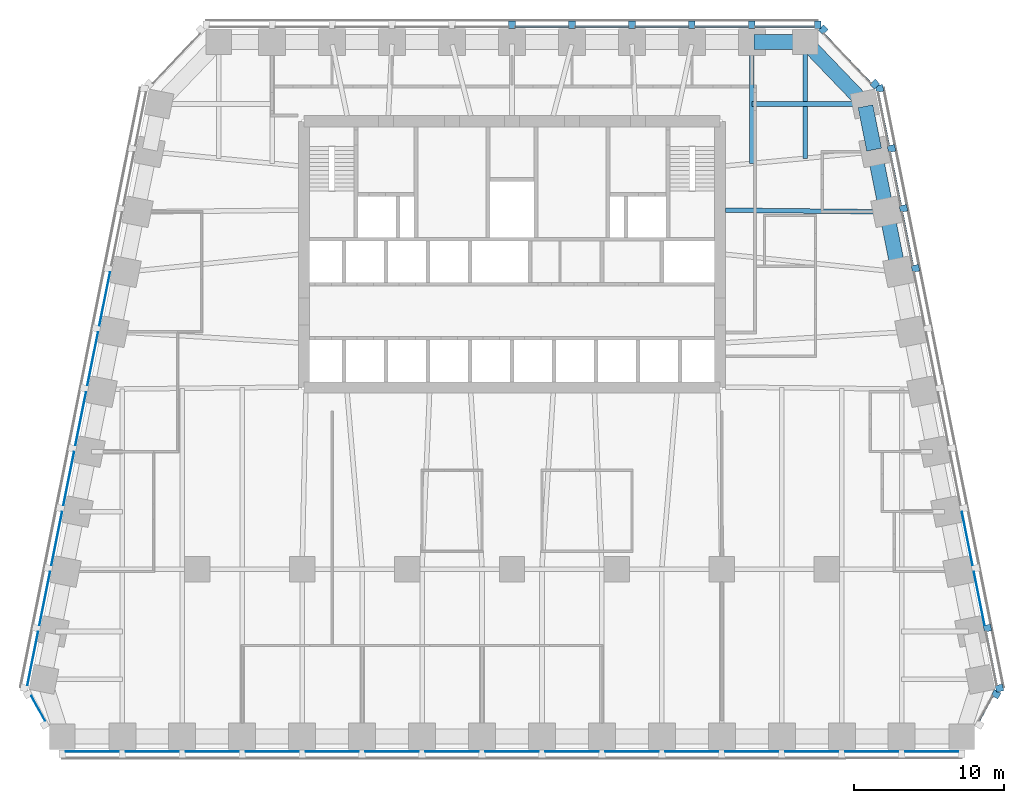
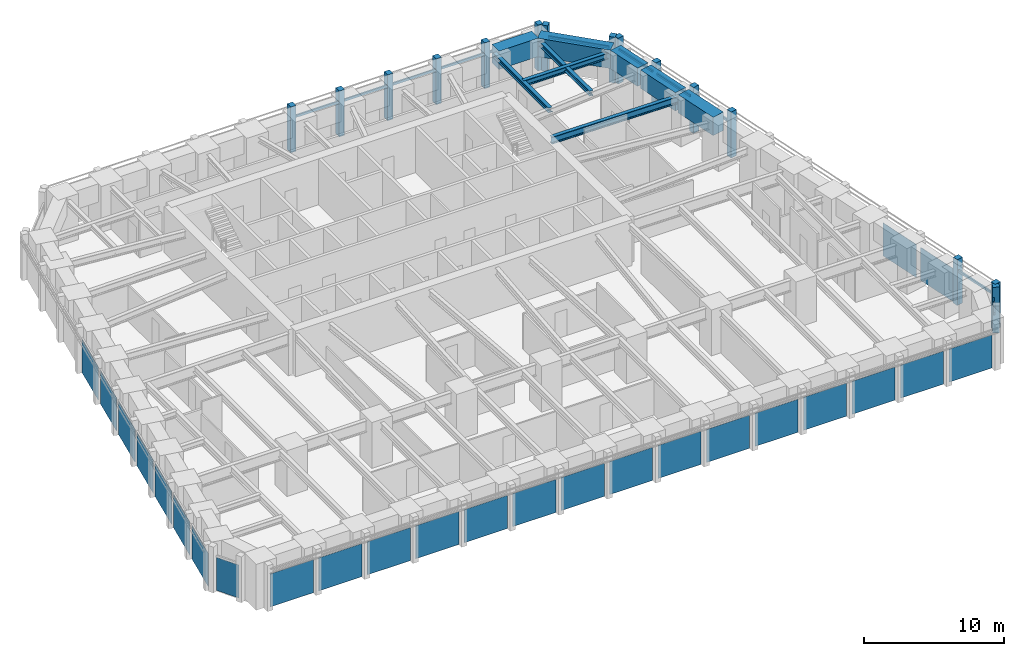
# One storey, part 4 of 10: 26 members, 25 plates, 9 beams, 7 elements without a shape of their own.
"""IFC4 building model written with IfcOpenShell, lengths in metres."""

from ifc_helpers import new_model, si_unit, direction, frame, origin, origin_2d, place, context, subcontext, project, spatial, rectangle, i_section, extrude, material, layer, layer_set, material_profile, profile_set, type_object, element, aggregate, save


model = new_model("IFC4")

# Units and contexts
model_context = context("Model", 3, precision=1e-05, world=origin(), true_north=direction((0.0, 1.0)))
body_context = subcontext(model_context, "Body", "Model", "MODEL_VIEW")
ifc_project = project(units=[si_unit("LENGTHUNIT", "METRE"), si_unit("AREAUNIT", "SQUARE_METRE"), si_unit("VOLUMEUNIT", "CUBIC_METRE"), si_unit("PLANEANGLEUNIT", "RADIAN"), si_unit("MASSUNIT", "GRAM", prefix="KILO")], contexts=[model_context])

# Site, building, storey
site_placement = place(None, origin())
site = spatial("IfcSite", under=ifc_project, at=site_placement, CompositionType="ELEMENT")
building_placement = place(site_placement, origin())
building = spatial("IfcBuilding", under=site, at=building_placement, Name="Isbrekke Arena Tower", CompositionType="ELEMENT")
storey_placement = place(building_placement, frame((0.0, 0.0, 163.0)))
storey = spatial("IfcBuildingStorey", under=building, at=storey_placement, Name="L37", CompositionType="ELEMENT", Elevation=163.0)

# Beams
ifc_material_1 = material(Name="Steel S355", Category="steel")
ifc_material_profile_1 = material_profile(ifc_material_1, i_section(OverallWidth=0.304931640625, OverallDepth=0.6201171875, WebThickness=0.02099609375, FlangeThickness=0.0400390625, FilletRadius=0.027099609375, at=origin_2d()), Name="HEM 600")
ifc_profile_set_1 = profile_set([ifc_material_profile_1], Name="Steel S355")
beam_type_1 = type_object("IfcBeamType", Name="B4 HEM 600", PredefinedType="BEAM", material=ifc_profile_set_1)
beam_1_placement = place(storey_placement, frame((24.83935546875, 17.838134765625, 3.43994140625), z_axis=(-0.999944255029, 0.010558732623, 0.0), x_axis=(-0.010558732623, -0.999944255029, 0.0)))
element("IfcBeam", 1, at=beam_1_placement, inside=storey, type_object=beam_type_1, Name="B4 beam E-E09 L37", PredefinedType="BEAM", context=body_context, shape_type="SweptSolid", body=[
    extrude(i_section(OverallWidth=0.304931640625, OverallDepth=0.6201171875, WebThickness=0.02099609375, FlangeThickness=0.0400390625, FilletRadius=0.027099609375, at=origin_2d()), origin(), (0.0, 0.0, 1.0), 10.58984375),
])
ifc_material_2 = material(Name="Steel S355", Category="steel")
ifc_material_profile_2 = material_profile(ifc_material_2, i_section(OverallWidth=0.305908203125, OverallDepth=0.52392578125, WebThickness=0.02099609375, FlangeThickness=0.0400390625, FilletRadius=0.027099609375, at=origin_2d()), Name="HEM 500")
ifc_profile_set_2 = profile_set([ifc_material_profile_2], Name="Steel S355")
beam_type_2 = type_object("IfcBeamType", Name="B5 HEM 500", PredefinedType="BEAM", material=ifc_profile_set_2)
beam_2_placement = place(storey_placement, frame((23.40283203125, 25.029296875, 3.488037109375), z_axis=(-1.0, 0.0, 0.0), x_axis=(0.0, -1.0, 0.0)))
element("IfcBeam", 2, at=beam_2_placement, inside=storey, type_object=beam_type_2, Name="B5 beam E-E11 L37", PredefinedType="BEAM", context=body_context, shape_type="SweptSolid", body=[
    extrude(i_section(OverallWidth=0.305908203125, OverallDepth=0.52392578125, WebThickness=0.02099609375, FlangeThickness=0.0400390625, FilletRadius=0.027099609375, at=origin_2d()), origin(), (0.0, 0.0, 1.0), 7.40283203125),
])
ifc_material_3 = material(Name="Steel S355", Category="steel")
ifc_material_profile_3 = material_profile(ifc_material_3, i_section(OverallWidth=0.306884765625, OverallDepth=0.431884765625, WebThickness=0.02099609375, FlangeThickness=0.0400390625, FilletRadius=0.027099609375, at=origin_2d()), Name="HEM 400")
ifc_profile_set_3 = profile_set([ifc_material_profile_3], Name="Steel S355")
beam_type_3 = type_object("IfcBeamType", Name="B6 HEM 400", PredefinedType="BEAM", material=ifc_profile_set_3)
beam_3_placement = place(storey_placement, frame((19.574951171875, 29.02490234375, 3.533935546875), z_axis=(0.0, -1.0, 0.0), x_axis=(1.0, 0.0, 0.0)))
element("IfcBeam", 3, at=beam_3_placement, inside=storey, type_object=beam_type_3, Name="B6 beam N-N01 L37", PredefinedType="BEAM", context=body_context, shape_type="SweptSolid", body=[
    extrude(i_section(OverallWidth=0.306884765625, OverallDepth=0.431884765625, WebThickness=0.02099609375, FlangeThickness=0.0400390625, FilletRadius=0.027099609375, at=origin_2d()), origin(), (0.0, 0.0, 1.0), 7.61474609375),
])
beam_4_placement = place(storey_placement, frame((16.0, 29.02490234375, 3.533935546875), z_axis=(0.0, -1.0, 0.0), x_axis=(1.0, 0.0, 0.0)))
element("IfcBeam", 4, at=beam_4_placement, inside=storey, type_object=beam_type_3, Name="B6 beam N-N02 L37", PredefinedType="BEAM", context=body_context, shape_type="SweptSolid", body=[
    extrude(i_section(OverallWidth=0.306884765625, OverallDepth=0.431884765625, WebThickness=0.02099609375, FlangeThickness=0.0400390625, FilletRadius=0.027099609375, at=origin_2d()), origin(), (0.0, 0.0, 1.0), 7.957275390625),
])

# Curtain wall, member
ifc_material_4 = material(Name="Glazed aluminium curtain wall", Category="aluminium")
curtain_wall_type = type_object("IfcCurtainWallType", Name="CWM TOWER CURTAIN WALL MID ZONE", PredefinedType="USERDEFINED", material=ifc_material_4)
curtain_wall_1_placement = place(storey_placement, origin())
curtain_wall_1 = element("IfcCurtainWall", 5, at=curtain_wall_1_placement, inside=storey, type_object=curtain_wall_type, Name="CWM curtain wall L37-SE", ObjectType="TOWER CURTAIN WALL MID ZONE", PredefinedType="USERDEFINED")
ifc_material_5 = material(Name="Aluminium mullion, pale brick slip cladding", Category="masonry")
ifc_material_profile_4 = material_profile(ifc_material_5, rectangle(XDim=0.449951171875, YDim=0.5, at=origin_2d()), Name="PIER 450X500")
ifc_profile_set_4 = profile_set([ifc_material_profile_4], Name="Aluminium mullion, pale brick slip cladding")
member_type_1 = type_object("IfcMemberType", Name="CWM-M PIER MULLION 450 x 500", PredefinedType="MULLION", material=ifc_profile_set_4)
member_1_placement = place(storey_placement, frame((32.296142578125, -14.34375, 0.0), z_axis=(0.0, 0.0, 1.0), x_axis=(0.481918749773, 0.876215908676, 0.0)))
member_1 = element("IfcMember", 6, at=member_1_placement, type_object=member_type_1, Name="CWM-M mullion 2", PredefinedType="MULLION", context=body_context, shape_type="SweptSolid", body=[
    extrude(rectangle(XDim=0.449951171875, YDim=0.5, at=origin_2d()), origin(), (0.0, 0.0, 1.0), 4.0),
])

# Curtain wall, members
curtain_wall_2_placement = place(storey_placement, origin())
curtain_wall_2 = element("IfcCurtainWall", 7, at=curtain_wall_2_placement, inside=storey, type_object=curtain_wall_type, Name="CWM curtain wall L37-E", ObjectType="TOWER CURTAIN WALL MID ZONE", PredefinedType="USERDEFINED")
member_2_placement = place(storey_placement, frame((32.518798828125, -13.936279296875, 0.0), z_axis=(0.0, 0.0, 1.0), x_axis=(-0.196116135138, 0.980580675691, 0.0)))
member_2 = element("IfcMember", 8, at=member_2_placement, type_object=member_type_1, Name="CWM-M mullion 1", PredefinedType="MULLION", context=body_context, shape_type="SweptSolid", body=[
    extrude(rectangle(XDim=0.449951171875, YDim=0.5, at=origin_2d()), origin(), (0.0, 0.0, 1.0), 4.0),
])
member_3_placement = place(storey_placement, frame((31.71875, -9.936279296875, 0.0), z_axis=(0.0, 0.0, 1.0), x_axis=(-0.196116135138, 0.980580675691, 0.0)))
member_3 = element("IfcMember", 9, at=member_3_placement, type_object=member_type_1, Name="CWM-M mullion 2", PredefinedType="MULLION", context=body_context, shape_type="SweptSolid", body=[
    extrude(rectangle(XDim=0.449951171875, YDim=0.5, at=origin_2d()), origin(), (0.0, 0.0, 1.0), 4.0),
])
member_4_placement = place(storey_placement, frame((26.918701171875, 14.063720703125, 0.0), z_axis=(0.0, 0.0, 1.0), x_axis=(-0.196116135138, 0.980580675691, 0.0)))
member_4 = element("IfcMember", 10, at=member_4_placement, type_object=member_type_1, Name="CWM-M mullion 8", PredefinedType="MULLION", context=body_context, shape_type="SweptSolid", body=[
    extrude(rectangle(XDim=0.449951171875, YDim=0.5, at=origin_2d()), origin(), (0.0, 0.0, 1.0), 4.0),
])
member_5_placement = place(storey_placement, frame((26.11865234375, 18.063720703125, 0.0), z_axis=(0.0, 0.0, 1.0), x_axis=(-0.196116135138, 0.980580675691, 0.0)))
member_5 = element("IfcMember", 11, at=member_5_placement, type_object=member_type_1, Name="CWM-M mullion 9", PredefinedType="MULLION", context=body_context, shape_type="SweptSolid", body=[
    extrude(rectangle(XDim=0.449951171875, YDim=0.5, at=origin_2d()), origin(), (0.0, 0.0, 1.0), 4.0),
])
member_6_placement = place(storey_placement, frame((25.318603515625, 22.063720703125, 0.0), z_axis=(0.0, 0.0, 1.0), x_axis=(-0.196116135138, 0.980580675691, 0.0)))
member_6 = element("IfcMember", 12, at=member_6_placement, type_object=member_type_1, Name="CWM-M mullion 10", PredefinedType="MULLION", context=body_context, shape_type="SweptSolid", body=[
    extrude(rectangle(XDim=0.449951171875, YDim=0.5, at=origin_2d()), origin(), (0.0, 0.0, 1.0), 4.0),
])
member_7_placement = place(storey_placement, frame((24.518798828125, 26.063720703125, 0.0), z_axis=(0.0, 0.0, 1.0), x_axis=(-0.196116135138, 0.980580675691, 0.0)))
member_7 = element("IfcMember", 13, at=member_7_placement, type_object=member_type_1, Name="CWM-M mullion 11", PredefinedType="MULLION", context=body_context, shape_type="SweptSolid", body=[
    extrude(rectangle(XDim=0.449951171875, YDim=0.5, at=origin_2d()), origin(), (0.0, 0.0, 1.0), 4.0),
])

curtain_wall_3_placement = place(storey_placement, origin())
curtain_wall_3 = element("IfcCurtainWall", 14, at=curtain_wall_3_placement, inside=storey, type_object=curtain_wall_type, Name="CWM curtain wall L37-EN", ObjectType="TOWER CURTAIN WALL MID ZONE", PredefinedType="USERDEFINED")
member_8_placement = place(storey_placement, frame((24.208251953125, 26.354248046875, 0.0), z_axis=(0.0, 0.0, 1.0), x_axis=(-0.68874946192, 0.72499943359, 0.0)))
member_8 = element("IfcMember", 15, at=member_8_placement, type_object=member_type_1, Name="CWM-M mullion 1", PredefinedType="MULLION", context=body_context, shape_type="SweptSolid", body=[
    extrude(rectangle(XDim=0.449951171875, YDim=0.5, at=origin_2d()), origin(), (0.0, 0.0, 1.0), 4.0),
])
member_9_placement = place(storey_placement, frame((20.7587890625, 29.9853515625, 0.0), z_axis=(0.0, 0.0, 1.0), x_axis=(-0.68874946192, 0.72499943359, 0.0)))
member_9 = element("IfcMember", 16, at=member_9_placement, type_object=member_type_1, Name="CWM-M mullion 2", PredefinedType="MULLION", context=body_context, shape_type="SweptSolid", body=[
    extrude(rectangle(XDim=0.449951171875, YDim=0.5, at=origin_2d()), origin(), (0.0, 0.0, 1.0), 4.0),
])

curtain_wall_4_placement = place(storey_placement, origin())
curtain_wall_4 = element("IfcCurtainWall", 17, at=curtain_wall_4_placement, inside=storey, type_object=curtain_wall_type, Name="CWM curtain wall L37-N", ObjectType="TOWER CURTAIN WALL MID ZONE", PredefinedType="USERDEFINED")
member_10_placement = place(storey_placement, frame((20.39990234375, 30.324951171875, 0.0), z_axis=(0.0, 0.0, 1.0), x_axis=(-1.0, 0.0, 0.0)))
member_10 = element("IfcMember", 18, at=member_10_placement, type_object=member_type_1, Name="CWM-M mullion 1", PredefinedType="MULLION", context=body_context, shape_type="SweptSolid", body=[
    extrude(rectangle(XDim=0.449951171875, YDim=0.5, at=origin_2d()), origin(), (0.0, 0.0, 1.0), 4.0),
])
member_11_placement = place(storey_placement, frame((16.0, 30.324951171875, 0.0), z_axis=(0.0, 0.0, 1.0), x_axis=(-1.0, 0.0, 0.0)))
member_11 = element("IfcMember", 19, at=member_11_placement, type_object=member_type_1, Name="CWM-M mullion 2", PredefinedType="MULLION", context=body_context, shape_type="SweptSolid", body=[
    extrude(rectangle(XDim=0.449951171875, YDim=0.5, at=origin_2d()), origin(), (0.0, 0.0, 1.0), 4.0),
])
member_12_placement = place(storey_placement, frame((12.0, 30.324951171875, 0.0), z_axis=(0.0, 0.0, 1.0), x_axis=(-1.0, 0.0, 0.0)))
member_12 = element("IfcMember", 20, at=member_12_placement, type_object=member_type_1, Name="CWM-M mullion 3", PredefinedType="MULLION", context=body_context, shape_type="SweptSolid", body=[
    extrude(rectangle(XDim=0.449951171875, YDim=0.5, at=origin_2d()), origin(), (0.0, 0.0, 1.0), 4.0),
])
member_13_placement = place(storey_placement, frame((8.0, 30.324951171875, 0.0), z_axis=(0.0, 0.0, 1.0), x_axis=(-1.0, 0.0, 0.0)))
member_13 = element("IfcMember", 21, at=member_13_placement, type_object=member_type_1, Name="CWM-M mullion 4", PredefinedType="MULLION", context=body_context, shape_type="SweptSolid", body=[
    extrude(rectangle(XDim=0.449951171875, YDim=0.5, at=origin_2d()), origin(), (0.0, 0.0, 1.0), 4.0),
])
member_14_placement = place(storey_placement, frame((4.0, 30.324951171875, 0.0), z_axis=(0.0, 0.0, 1.0), x_axis=(-1.0, 0.0, 0.0)))
member_14 = element("IfcMember", 22, at=member_14_placement, type_object=member_type_1, Name="CWM-M mullion 5", PredefinedType="MULLION", context=body_context, shape_type="SweptSolid", body=[
    extrude(rectangle(XDim=0.449951171875, YDim=0.5, at=origin_2d()), origin(), (0.0, 0.0, 1.0), 4.0),
])
member_15_placement = place(storey_placement, frame((0.0, 30.324951171875, 0.0), z_axis=(0.0, 0.0, 1.0), x_axis=(-1.0, 0.0, 0.0)))
member_15 = element("IfcMember", 23, at=member_15_placement, type_object=member_type_1, Name="CWM-M mullion 6", PredefinedType="MULLION", context=body_context, shape_type="SweptSolid", body=[
    extrude(rectangle(XDim=0.449951171875, YDim=0.5, at=origin_2d()), origin(), (0.0, 0.0, 1.0), 4.0),
])

# Member
ifc_material_6 = material(Name="Aluminium transom", Category="aluminium")
ifc_material_profile_5 = material_profile(ifc_material_6, rectangle(XDim=0.1201171875, YDim=0.199951171875, at=origin_2d()), Name="TRANSOM 120X200")
ifc_profile_set_5 = profile_set([ifc_material_profile_5], Name="Aluminium transom")
member_type_2 = type_object("IfcMemberType", Name="CWM-T TRANSOM 120 x 200", PredefinedType="USERDEFINED", material=ifc_profile_set_5)
member_16_placement = place(storey_placement, frame((31.152099609375, -16.112548828125, 3.0), z_axis=(0.482003669577, 0.876169197424, 0.0), x_axis=(-0.876169197424, 0.482003669577, 0.0)))
member_16 = element("IfcMember", 24, at=member_16_placement, type_object=member_type_2, Name="CWM-T transom 1", ObjectType="TRANSOM", PredefinedType="USERDEFINED", context=body_context, shape_type="SweptSolid", body=[
    extrude(rectangle(XDim=0.1201171875, YDim=0.199951171875, at=origin_2d()), origin(), (0.0, 0.0, 1.0), 1.876220703125),
])

aggregate(curtain_wall_1, [member_1, member_16])

member_17_placement = place(storey_placement, frame((32.327392578125, -13.7451171875, 3.0), z_axis=(-0.196090262229, 0.980585849918, 0.0), x_axis=(-0.980585849918, -0.196090262229, 0.0)))
member_17 = element("IfcMember", 25, at=member_17_placement, type_object=member_type_2, Name="CWM-T transom 1", ObjectType="TRANSOM", PredefinedType="USERDEFINED", context=body_context, shape_type="SweptSolid", body=[
    extrude(rectangle(XDim=0.1201171875, YDim=0.199951171875, at=origin_2d()), origin(), (0.0, 0.0, 1.0), 3.62939453125),
])

member_18_placement = place(storey_placement, frame((26.7275390625, 14.2548828125, 3.0), z_axis=(-0.196154943734, 0.980572913173, 0.0), x_axis=(-0.980572913173, -0.196154943734, 0.0)))
member_18 = element("IfcMember", 26, at=member_18_placement, type_object=member_type_2, Name="CWM-T transom 8", ObjectType="TRANSOM", PredefinedType="USERDEFINED", context=body_context, shape_type="SweptSolid", body=[
    extrude(rectangle(XDim=0.1201171875, YDim=0.199951171875, at=origin_2d()), origin(), (0.0, 0.0, 1.0), 3.62939453125),
])

member_19_placement = place(storey_placement, frame((25.927490234375, 18.2548828125, 3.0), z_axis=(-0.196090262229, 0.980585849918, 0.0), x_axis=(-0.980585849918, -0.196090262229, 0.0)))
member_19 = element("IfcMember", 27, at=member_19_placement, type_object=member_type_2, Name="CWM-T transom 9", ObjectType="TRANSOM", PredefinedType="USERDEFINED", context=body_context, shape_type="SweptSolid", body=[
    extrude(rectangle(XDim=0.1201171875, YDim=0.199951171875, at=origin_2d()), origin(), (0.0, 0.0, 1.0), 3.62939453125),
])

member_20_placement = place(storey_placement, frame((25.12744140625, 22.2548828125, 3.0), z_axis=(-0.196090262229, 0.980585849918, 0.0), x_axis=(-0.980585849918, -0.196090262229, 0.0)))
member_20 = element("IfcMember", 28, at=member_20_placement, type_object=member_type_2, Name="CWM-T transom 10", ObjectType="TRANSOM", PredefinedType="USERDEFINED", context=body_context, shape_type="SweptSolid", body=[
    extrude(rectangle(XDim=0.1201171875, YDim=0.199951171875, at=origin_2d()), origin(), (0.0, 0.0, 1.0), 3.62939453125),
])

member_21_placement = place(storey_placement, frame((23.944580078125, 26.4140625, 3.0), z_axis=(-0.688771983213, 0.724978037696, 0.0), x_axis=(-0.724978037696, -0.688771983213, 0.0)))
member_21 = element("IfcMember", 29, at=member_21_placement, type_object=member_type_2, Name="CWM-T transom 1", ObjectType="TRANSOM", PredefinedType="USERDEFINED", context=body_context, shape_type="SweptSolid", body=[
    extrude(rectangle(XDim=0.1201171875, YDim=0.199951171875, at=origin_2d()), origin(), (0.0, 0.0, 1.0), 4.558349609375),
])

aggregate(curtain_wall_3, [member_8, member_9, member_21])

member_22_placement = place(storey_placement, frame((20.175048828125, 30.175048828125, 3.0), z_axis=(-1.0, 0.0, 0.0), x_axis=(0.0, -1.0, 0.0)))
member_22 = element("IfcMember", 30, at=member_22_placement, type_object=member_type_2, Name="CWM-T transom 1", ObjectType="TRANSOM", PredefinedType="USERDEFINED", context=body_context, shape_type="SweptSolid", body=[
    extrude(rectangle(XDim=0.1201171875, YDim=0.199951171875, at=origin_2d()), origin(), (0.0, 0.0, 1.0), 3.949951171875),
])

member_23_placement = place(storey_placement, frame((15.77490234375, 30.175048828125, 3.0), z_axis=(-1.0, 0.0, 0.0), x_axis=(0.0, -1.0, 0.0)))
member_23 = element("IfcMember", 31, at=member_23_placement, type_object=member_type_2, Name="CWM-T transom 2", ObjectType="TRANSOM", PredefinedType="USERDEFINED", context=body_context, shape_type="SweptSolid", body=[
    extrude(rectangle(XDim=0.1201171875, YDim=0.199951171875, at=origin_2d()), origin(), (0.0, 0.0, 1.0), 3.5498046875),
])

member_24_placement = place(storey_placement, frame((11.77490234375, 30.175048828125, 3.0), z_axis=(-1.0, 0.0, 0.0), x_axis=(0.0, -1.0, 0.0)))
member_24 = element("IfcMember", 32, at=member_24_placement, type_object=member_type_2, Name="CWM-T transom 3", ObjectType="TRANSOM", PredefinedType="USERDEFINED", context=body_context, shape_type="SweptSolid", body=[
    extrude(rectangle(XDim=0.1201171875, YDim=0.199951171875, at=origin_2d()), origin(), (0.0, 0.0, 1.0), 3.5498046875),
])

member_25_placement = place(storey_placement, frame((7.77490234375, 30.175048828125, 3.0), z_axis=(-1.0, 0.0, 0.0), x_axis=(0.0, -1.0, 0.0)))
member_25 = element("IfcMember", 33, at=member_25_placement, type_object=member_type_2, Name="CWM-T transom 4", ObjectType="TRANSOM", PredefinedType="USERDEFINED", context=body_context, shape_type="SweptSolid", body=[
    extrude(rectangle(XDim=0.1201171875, YDim=0.199951171875, at=origin_2d()), origin(), (0.0, 0.0, 1.0), 3.5498046875),
])

member_26_placement = place(storey_placement, frame((3.77490234375, 30.175048828125, 3.0), z_axis=(-1.0, 0.0, 0.0), x_axis=(0.0, -1.0, 0.0)))
member_26 = element("IfcMember", 34, at=member_26_placement, type_object=member_type_2, Name="CWM-T transom 5", ObjectType="TRANSOM", PredefinedType="USERDEFINED", context=body_context, shape_type="SweptSolid", body=[
    extrude(rectangle(XDim=0.1201171875, YDim=0.199951171875, at=origin_2d()), origin(), (0.0, 0.0, 1.0), 3.5498046875),
])

aggregate(curtain_wall_4, [member_10, member_11, member_12, member_13, member_14, member_15, member_22, member_23, member_24, member_25, member_26])

# Beams
ifc_material_7 = material(Name="Concrete B80 (C80/95)", Category="concrete")
ifc_material_profile_6 = material_profile(ifc_material_7, rectangle(XDim=1.0, YDim=1.60009765625, at=origin_2d()), Name="RC 1000x1600")
ifc_profile_set_6 = profile_set([ifc_material_profile_6], Name="Concrete B80 (C80/95)")
beam_type_4 = type_object("IfcBeamType", Name="SB2 RC 1000 x 1600", PredefinedType="SPANDREL", material=ifc_profile_set_6)
for number, where, z_axis, x_axis, name in (
    (35, (25.76171875, 13.9853515625, 3.199951171875), (-0.196128558387, 0.980578190959, 0.0), (-0.980578190959, -0.196128558387, 0.0), "SB2 spandrel E08-E09 L37"),
    (36, (24.961669921875, 17.9853515625, 3.199951171875), (-0.196128558387, 0.980578190959, 0.0), (-0.980578190959, -0.196128558387, 0.0), "SB2 spandrel E09-E10 L37"),
):
    element("IfcBeam", number, at=place(storey_placement, frame(where, z_axis=z_axis, x_axis=x_axis)), inside=storey, type_object=beam_type_4, Name=name, PredefinedType="SPANDREL", context=body_context, shape_type="SweptSolid", body=[
        extrude(rectangle(XDim=1.0, YDim=1.60009765625, at=origin_2d()), origin(), (0.0, 0.0, 1.0), 3.779296875),
    ])
beam_5_placement = place(storey_placement, frame((24.16162109375, 21.9853515625, 3.199951171875), z_axis=(-0.196116135138, 0.980580675691, 0.0), x_axis=(-0.980580675691, -0.196116135138, 0.0)))
element("IfcBeam", 37, at=beam_5_placement, inside=storey, type_object=beam_type_4, Name="SB2 spandrel E10-E11 L37", PredefinedType="SPANDREL", context=body_context, shape_type="SweptSolid", body=[
    extrude(rectangle(XDim=1.0, YDim=1.60009765625, at=origin_2d()), origin(), (0.0, 0.0, 1.0), 2.9541015625),
])
beam_6_placement = place(storey_placement, frame((23.448974609375, 25.137451171875, 3.199951171875), z_axis=(-0.692339547635, 0.721571861134, 0.0), x_axis=(-0.721571861134, -0.692339547635, 0.0)))
element("IfcBeam", 38, at=beam_6_placement, inside=storey, type_object=beam_type_4, Name="SB2 spandrel E11-N01 L37", PredefinedType="SPANDREL", context=body_context, shape_type="SweptSolid", body=[
    extrude(rectangle(XDim=1.0, YDim=1.60009765625, at=origin_2d()), origin(), (0.0, 0.0, 1.0), 5.4453125),
])
beam_7_placement = place(storey_placement, frame((19.425048828125, 29.175048828125, 3.199951171875), z_axis=(-1.0, 0.0, 0.0), x_axis=(0.0, -1.0, 0.0)))
element("IfcBeam", 39, at=beam_7_placement, inside=storey, type_object=beam_type_4, Name="SB2 spandrel N01-N02 L37", PredefinedType="SPANDREL", context=body_context, shape_type="SweptSolid", body=[
    extrude(rectangle(XDim=1.0, YDim=1.60009765625, at=origin_2d()), origin(), (0.0, 0.0, 1.0), 3.275146484375),
])

# Curtain wall, plates
curtain_wall_5_placement = place(storey_placement, origin())
curtain_wall_5 = element("IfcCurtainWall", 40, at=curtain_wall_5_placement, inside=storey, type_object=curtain_wall_type, Name="CWM curtain wall L37-S", ObjectType="TOWER CURTAIN WALL MID ZONE", PredefinedType="USERDEFINED")
ifc_material_8 = material(Name="Triple-glazed clear glass unit", Category="glass")
ifc_layer = layer(ifc_material_8, 0.031982421875)
ifc_layer_set = layer_set([ifc_layer], Name="CWM-P VISION PANEL")
plate_type = type_object("IfcPlateType", Name="CWM-P VISION PANEL", PredefinedType="CURTAIN_PANEL", material=ifc_layer_set)
plate_1_placement = place(storey_placement, frame((-28.0, -18.175048828125, 0.02001953125), z_axis=(0.0, 0.0, 1.0), x_axis=(1.0, 0.0, 0.0)))
plate_1 = element("IfcPlate", 41, at=plate_1_placement, type_object=plate_type, Name="CWM-P panel 1", PredefinedType="CURTAIN_PANEL", context=body_context, shape_type="SweptSolid", body=[
    extrude(rectangle(XDim=3.550048828125, YDim=0.031982421875, at=origin_2d()), origin(), (0.0, 0.0, 1.0), 2.8798828125),
])
plate_2_placement = place(storey_placement, frame((-24.0, -18.175048828125, 0.02001953125), z_axis=(0.0, 0.0, 1.0), x_axis=(1.0, 0.0, 0.0)))
plate_2 = element("IfcPlate", 42, at=plate_2_placement, type_object=plate_type, Name="CWM-P panel 2", PredefinedType="CURTAIN_PANEL", context=body_context, shape_type="SweptSolid", body=[
    extrude(rectangle(XDim=3.550048828125, YDim=0.031982421875, at=origin_2d()), origin(), (0.0, 0.0, 1.0), 2.8798828125),
])
plate_3_placement = place(storey_placement, frame((-20.0, -18.175048828125, 0.02001953125), z_axis=(0.0, 0.0, 1.0), x_axis=(1.0, 0.0, 0.0)))
plate_3 = element("IfcPlate", 43, at=plate_3_placement, type_object=plate_type, Name="CWM-P panel 3", PredefinedType="CURTAIN_PANEL", context=body_context, shape_type="SweptSolid", body=[
    extrude(rectangle(XDim=3.550048828125, YDim=0.031982421875, at=origin_2d()), origin(), (0.0, 0.0, 1.0), 2.8798828125),
])
plate_4_placement = place(storey_placement, frame((-16.0, -18.175048828125, 0.02001953125), z_axis=(0.0, 0.0, 1.0), x_axis=(1.0, 0.0, 0.0)))
plate_4 = element("IfcPlate", 44, at=plate_4_placement, type_object=plate_type, Name="CWM-P panel 4", PredefinedType="CURTAIN_PANEL", context=body_context, shape_type="SweptSolid", body=[
    extrude(rectangle(XDim=3.550048828125, YDim=0.031982421875, at=origin_2d()), origin(), (0.0, 0.0, 1.0), 2.8798828125),
])
plate_5_placement = place(storey_placement, frame((-12.0, -18.175048828125, 0.02001953125), z_axis=(0.0, 0.0, 1.0), x_axis=(1.0, 0.0, 0.0)))
plate_5 = element("IfcPlate", 45, at=plate_5_placement, type_object=plate_type, Name="CWM-P panel 5", PredefinedType="CURTAIN_PANEL", context=body_context, shape_type="SweptSolid", body=[
    extrude(rectangle(XDim=3.550048828125, YDim=0.031982421875, at=origin_2d()), origin(), (0.0, 0.0, 1.0), 2.8798828125),
])
plate_6_placement = place(storey_placement, frame((-8.0, -18.175048828125, 0.02001953125), z_axis=(0.0, 0.0, 1.0), x_axis=(1.0, 0.0, 0.0)))
plate_6 = element("IfcPlate", 46, at=plate_6_placement, type_object=plate_type, Name="CWM-P panel 6", PredefinedType="CURTAIN_PANEL", context=body_context, shape_type="SweptSolid", body=[
    extrude(rectangle(XDim=3.550048828125, YDim=0.031982421875, at=origin_2d()), origin(), (0.0, 0.0, 1.0), 2.8798828125),
])
plate_7_placement = place(storey_placement, frame((-4.0, -18.175048828125, 0.02001953125), z_axis=(0.0, 0.0, 1.0), x_axis=(1.0, 0.0, 0.0)))
plate_7 = element("IfcPlate", 47, at=plate_7_placement, type_object=plate_type, Name="CWM-P panel 7", PredefinedType="CURTAIN_PANEL", context=body_context, shape_type="SweptSolid", body=[
    extrude(rectangle(XDim=3.550048828125, YDim=0.031982421875, at=origin_2d()), origin(), (0.0, 0.0, 1.0), 2.8798828125),
])
plate_8_placement = place(storey_placement, frame((0.0, -18.175048828125, 0.02001953125), z_axis=(0.0, 0.0, 1.0), x_axis=(1.0, 0.0, 0.0)))
plate_8 = element("IfcPlate", 48, at=plate_8_placement, type_object=plate_type, Name="CWM-P panel 8", PredefinedType="CURTAIN_PANEL", context=body_context, shape_type="SweptSolid", body=[
    extrude(rectangle(XDim=3.550048828125, YDim=0.031982421875, at=origin_2d()), origin(), (0.0, 0.0, 1.0), 2.8798828125),
])
plate_9_placement = place(storey_placement, frame((4.0, -18.175048828125, 0.02001953125), z_axis=(0.0, 0.0, 1.0), x_axis=(1.0, 0.0, 0.0)))
plate_9 = element("IfcPlate", 49, at=plate_9_placement, type_object=plate_type, Name="CWM-P panel 9", PredefinedType="CURTAIN_PANEL", context=body_context, shape_type="SweptSolid", body=[
    extrude(rectangle(XDim=3.550048828125, YDim=0.031982421875, at=origin_2d()), origin(), (0.0, 0.0, 1.0), 2.8798828125),
])
plate_10_placement = place(storey_placement, frame((8.0, -18.175048828125, 0.02001953125), z_axis=(0.0, 0.0, 1.0), x_axis=(1.0, 0.0, 0.0)))
plate_10 = element("IfcPlate", 50, at=plate_10_placement, type_object=plate_type, Name="CWM-P panel 10", PredefinedType="CURTAIN_PANEL", context=body_context, shape_type="SweptSolid", body=[
    extrude(rectangle(XDim=3.550048828125, YDim=0.031982421875, at=origin_2d()), origin(), (0.0, 0.0, 1.0), 2.8798828125),
])
plate_11_placement = place(storey_placement, frame((12.0, -18.175048828125, 0.02001953125), z_axis=(0.0, 0.0, 1.0), x_axis=(1.0, 0.0, 0.0)))
plate_11 = element("IfcPlate", 51, at=plate_11_placement, type_object=plate_type, Name="CWM-P panel 11", PredefinedType="CURTAIN_PANEL", context=body_context, shape_type="SweptSolid", body=[
    extrude(rectangle(XDim=3.550048828125, YDim=0.031982421875, at=origin_2d()), origin(), (0.0, 0.0, 1.0), 2.8798828125),
])
plate_12_placement = place(storey_placement, frame((16.0, -18.175048828125, 0.02001953125), z_axis=(0.0, 0.0, 1.0), x_axis=(1.0, 0.0, 0.0)))
plate_12 = element("IfcPlate", 52, at=plate_12_placement, type_object=plate_type, Name="CWM-P panel 12", PredefinedType="CURTAIN_PANEL", context=body_context, shape_type="SweptSolid", body=[
    extrude(rectangle(XDim=3.550048828125, YDim=0.031982421875, at=origin_2d()), origin(), (0.0, 0.0, 1.0), 2.8798828125),
])
plate_13_placement = place(storey_placement, frame((20.0, -18.175048828125, 0.02001953125), z_axis=(0.0, 0.0, 1.0), x_axis=(1.0, 0.0, 0.0)))
plate_13 = element("IfcPlate", 53, at=plate_13_placement, type_object=plate_type, Name="CWM-P panel 13", PredefinedType="CURTAIN_PANEL", context=body_context, shape_type="SweptSolid", body=[
    extrude(rectangle(XDim=3.550048828125, YDim=0.031982421875, at=origin_2d()), origin(), (0.0, 0.0, 1.0), 2.8798828125),
])
plate_14_placement = place(storey_placement, frame((24.0, -18.175048828125, 0.02001953125), z_axis=(0.0, 0.0, 1.0), x_axis=(1.0, 0.0, 0.0)))
plate_14 = element("IfcPlate", 54, at=plate_14_placement, type_object=plate_type, Name="CWM-P panel 14", PredefinedType="CURTAIN_PANEL", context=body_context, shape_type="SweptSolid", body=[
    extrude(rectangle(XDim=3.550048828125, YDim=0.031982421875, at=origin_2d()), origin(), (0.0, 0.0, 1.0), 2.8798828125),
])
plate_15_placement = place(storey_placement, frame((28.0, -18.175048828125, 0.02001953125), z_axis=(0.0, 0.0, 1.0), x_axis=(1.0, 0.0, 0.0)))
plate_15 = element("IfcPlate", 55, at=plate_15_placement, type_object=plate_type, Name="CWM-P panel 15", PredefinedType="CURTAIN_PANEL", context=body_context, shape_type="SweptSolid", body=[
    extrude(rectangle(XDim=3.550048828125, YDim=0.031982421875, at=origin_2d()), origin(), (0.0, 0.0, 1.0), 2.8798828125),
])
aggregate(curtain_wall_5, [plate_1, plate_2, plate_3, plate_4, plate_5, plate_6, plate_7, plate_8, plate_9, plate_10, plate_11, plate_12, plate_13, plate_14, plate_15])

# Plate
plate_16_placement = place(storey_placement, frame((31.171630859375, -7.965576171875, 0.02001953125), z_axis=(0.0, 0.0, 1.0), x_axis=(-0.196116135138, 0.980580675691, 0.0)))
plate_16 = element("IfcPlate", 56, at=plate_16_placement, type_object=plate_type, Name="CWM-P panel 2", PredefinedType="CURTAIN_PANEL", context=body_context, shape_type="SweptSolid", body=[
    extrude(rectangle(XDim=3.629150390625, YDim=0.031982421875, at=origin_2d()), origin(), (0.0, 0.0, 1.0), 2.8798828125),
])

plate_17_placement = place(storey_placement, frame((30.37158203125, -3.965576171875, 0.02001953125), z_axis=(0.0, 0.0, 1.0), x_axis=(-0.196116135138, 0.980580675691, 0.0)))
plate_17 = element("IfcPlate", 57, at=plate_17_placement, type_object=plate_type, Name="CWM-P panel 3", PredefinedType="CURTAIN_PANEL", context=body_context, shape_type="SweptSolid", body=[
    extrude(rectangle(XDim=3.629150390625, YDim=0.031982421875, at=origin_2d()), origin(), (0.0, 0.0, 1.0), 2.8798828125),
])

aggregate(curtain_wall_2, [member_2, member_3, member_4, member_5, member_6, member_7, member_17, plate_16, plate_17, member_18, member_19, member_20])

# Curtain wall, plates
curtain_wall_6_placement = place(storey_placement, origin())
curtain_wall_6 = element("IfcCurtainWall", 58, at=curtain_wall_6_placement, inside=storey, type_object=curtain_wall_type, Name="CWM curtain wall L37-W", ObjectType="TOWER CURTAIN WALL MID ZONE", PredefinedType="USERDEFINED")
plate_18_placement = place(storey_placement, frame((-27.171630859375, 12.034423828125, 0.02001953125), z_axis=(0.0, 0.0, 1.0), x_axis=(-0.196116135138, -0.980580675691, 0.0)))
plate_18 = element("IfcPlate", 59, at=plate_18_placement, type_object=plate_type, Name="CWM-P panel 4", PredefinedType="CURTAIN_PANEL", context=body_context, shape_type="SweptSolid", body=[
    extrude(rectangle(XDim=3.629150390625, YDim=0.031982421875, at=origin_2d()), origin(), (0.0, 0.0, 1.0), 2.8798828125),
])
plate_19_placement = place(storey_placement, frame((-27.9716796875, 8.034423828125, 0.02001953125), z_axis=(0.0, 0.0, 1.0), x_axis=(-0.196116135138, -0.980580675691, 0.0)))
plate_19 = element("IfcPlate", 60, at=plate_19_placement, type_object=plate_type, Name="CWM-P panel 5", PredefinedType="CURTAIN_PANEL", context=body_context, shape_type="SweptSolid", body=[
    extrude(rectangle(XDim=3.629150390625, YDim=0.031982421875, at=origin_2d()), origin(), (0.0, 0.0, 1.0), 2.8798828125),
])
plate_20_placement = place(storey_placement, frame((-28.771484375, 4.034423828125, 0.02001953125), z_axis=(0.0, 0.0, 1.0), x_axis=(-0.196116135138, -0.980580675691, 0.0)))
plate_20 = element("IfcPlate", 61, at=plate_20_placement, type_object=plate_type, Name="CWM-P panel 6", PredefinedType="CURTAIN_PANEL", context=body_context, shape_type="SweptSolid", body=[
    extrude(rectangle(XDim=3.629150390625, YDim=0.031982421875, at=origin_2d()), origin(), (0.0, 0.0, 1.0), 2.8798828125),
])
plate_21_placement = place(storey_placement, frame((-29.571533203125, 0.034423828125, 0.02001953125), z_axis=(0.0, 0.0, 1.0), x_axis=(-0.196116135138, -0.980580675691, 0.0)))
plate_21 = element("IfcPlate", 62, at=plate_21_placement, type_object=plate_type, Name="CWM-P panel 7", PredefinedType="CURTAIN_PANEL", context=body_context, shape_type="SweptSolid", body=[
    extrude(rectangle(XDim=3.629150390625, YDim=0.031982421875, at=origin_2d()), origin(), (0.0, 0.0, 1.0), 2.8798828125),
])
plate_22_placement = place(storey_placement, frame((-30.37158203125, -3.965576171875, 0.02001953125), z_axis=(0.0, 0.0, 1.0), x_axis=(-0.196116135138, -0.980580675691, 0.0)))
plate_22 = element("IfcPlate", 63, at=plate_22_placement, type_object=plate_type, Name="CWM-P panel 8", PredefinedType="CURTAIN_PANEL", context=body_context, shape_type="SweptSolid", body=[
    extrude(rectangle(XDim=3.629150390625, YDim=0.031982421875, at=origin_2d()), origin(), (0.0, 0.0, 1.0), 2.8798828125),
])
plate_23_placement = place(storey_placement, frame((-31.171630859375, -7.965576171875, 0.02001953125), z_axis=(0.0, 0.0, 1.0), x_axis=(-0.196116135138, -0.980580675691, 0.0)))
plate_23 = element("IfcPlate", 64, at=plate_23_placement, type_object=plate_type, Name="CWM-P panel 9", PredefinedType="CURTAIN_PANEL", context=body_context, shape_type="SweptSolid", body=[
    extrude(rectangle(XDim=3.629150390625, YDim=0.031982421875, at=origin_2d()), origin(), (0.0, 0.0, 1.0), 2.8798828125),
])
plate_24_placement = place(storey_placement, frame((-31.9716796875, -11.965576171875, 0.02001953125), z_axis=(0.0, 0.0, 1.0), x_axis=(-0.196116135138, -0.980580675691, 0.0)))
plate_24 = element("IfcPlate", 65, at=plate_24_placement, type_object=plate_type, Name="CWM-P panel 10", PredefinedType="CURTAIN_PANEL", context=body_context, shape_type="SweptSolid", body=[
    extrude(rectangle(XDim=3.629150390625, YDim=0.031982421875, at=origin_2d()), origin(), (0.0, 0.0, 1.0), 2.8798828125),
])
aggregate(curtain_wall_6, [plate_18, plate_19, plate_20, plate_21, plate_22, plate_23, plate_24])

# Curtain wall, plate
curtain_wall_7_placement = place(storey_placement, origin())
curtain_wall_7 = element("IfcCurtainWall", 66, at=curtain_wall_7_placement, inside=storey, type_object=curtain_wall_type, Name="CWM curtain wall L37-WS", ObjectType="TOWER CURTAIN WALL MID ZONE", PredefinedType="USERDEFINED")
plate_25_placement = place(storey_placement, frame((-31.60400390625, -15.291015625, 0.02001953125), z_axis=(0.0, 0.0, 1.0), x_axis=(0.481918749773, -0.876215908676, 0.0)))
plate_25 = element("IfcPlate", 67, at=plate_25_placement, type_object=plate_type, Name="CWM-P panel 1", PredefinedType="CURTAIN_PANEL", context=body_context, shape_type="SweptSolid", body=[
    extrude(rectangle(XDim=1.878173828125, YDim=0.031982421875, at=origin_2d()), origin(), (0.0, 0.0, 1.0), 2.8798828125),
])
aggregate(curtain_wall_7, [plate_25])

save(model, "model.ifc")
